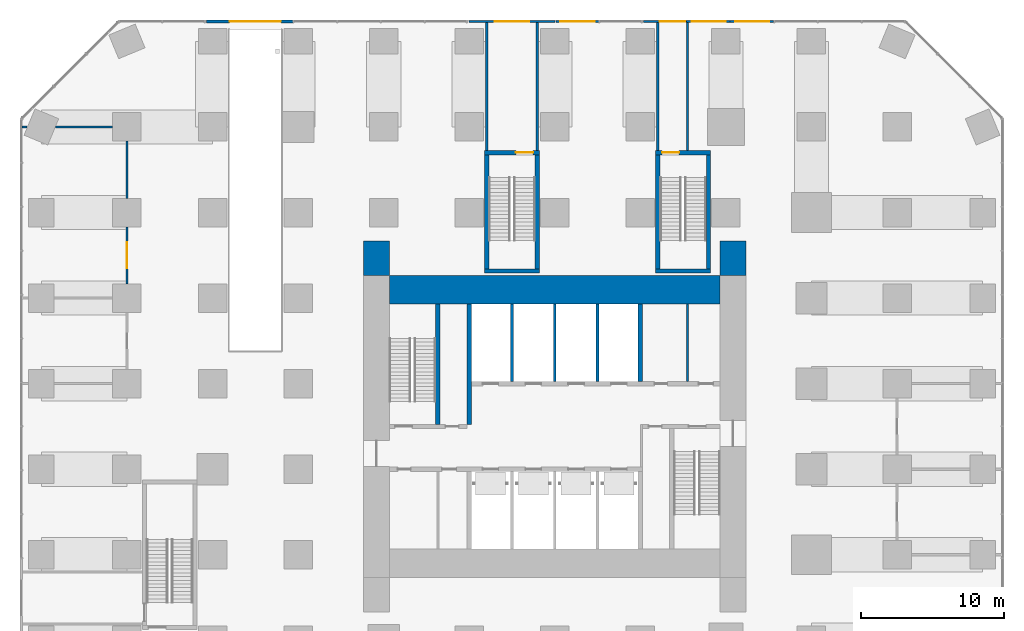
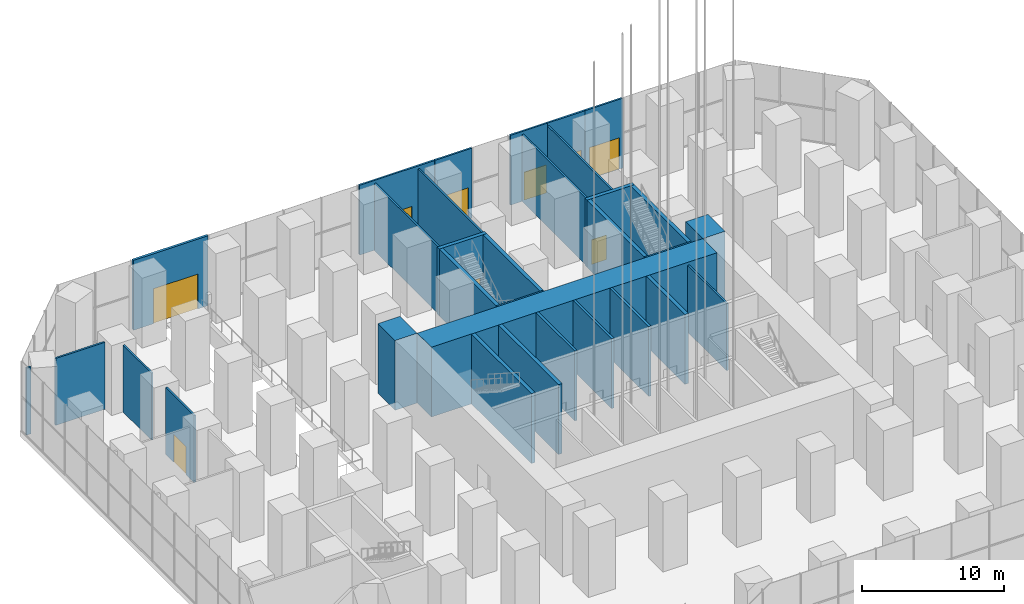
# One storey, part 14 of 21: 32 walls, 9 doors, 9 openings.
"""IFC4 building model written with IfcOpenShell, lengths in metres."""

from ifc_helpers import new_model, si_unit, direction, frame, frame_2d, origin, place, context, subcontext, project, spatial, rectangle, extrude, material, layer, layer_set, type_object, element, fill, save


model = new_model("IFC4")

# Units and contexts
model_context = context("Model", 3, precision=1e-05, world=origin(), true_north=direction((0.0, 1.0)))
body_context = subcontext(model_context, "Body", "Model", "MODEL_VIEW")
ifc_project = project(units=[si_unit("LENGTHUNIT", "METRE"), si_unit("AREAUNIT", "SQUARE_METRE"), si_unit("VOLUMEUNIT", "CUBIC_METRE"), si_unit("PLANEANGLEUNIT", "RADIAN"), si_unit("MASSUNIT", "GRAM", prefix="KILO")], contexts=[model_context])

# Site, building, storey
site_placement = place(None, origin())
site = spatial("IfcSite", under=ifc_project, at=site_placement, CompositionType="ELEMENT")
building_placement = place(site_placement, origin())
building = spatial("IfcBuilding", under=site, at=building_placement, Name="Highveld Stack Headquarters", CompositionType="ELEMENT")
storey_placement = place(building_placement, origin())
storey = spatial("IfcBuildingStorey", under=building, at=storey_placement, Name="L00", CompositionType="ELEMENT", Elevation=0.0)

# Walls
ifc_material_1 = material(Name="Concrete C60/75", Category="concrete")
ifc_layer_1 = layer(ifc_material_1, 2.0)
ifc_layer_set_1 = layer_set([ifc_layer_1], Name="Concrete C60/75")
wall_type_1 = type_object("IfcWallType", Name="CORE WALL 2000 C60/75", PredefinedType="SHEAR", material=ifc_layer_set_1)
wall_1_placement = place(storey_placement, frame((-5.60009765625, 12.60009765625, 0.0), z_axis=(0.0, 0.0, 1.0), x_axis=(1.0, 0.0, 0.0)))
element("IfcWall", 1, at=wall_1_placement, inside=storey, type_object=wall_type_1, Name="Core wall N L00", PredefinedType="SHEAR", context=body_context, shape_type="SweptSolid", body=[
    extrude(rectangle(XDim=23.2001953125, YDim=2.0, at=frame_2d((11.60009765625, 0.0))), origin(), (0.0, 0.0, 1.0), 6.0),
])
ifc_material_2 = material(Name="Concrete C60/75", Category="concrete")
ifc_layer_2 = layer(ifc_material_2, 0.300048828125)
ifc_layer_set_2 = layer_set([ifc_layer_2], Name="Concrete C60/75")
wall_type_2 = type_object("IfcWallType", Name="CORE WALL 300 C60/75", PredefinedType="SHEAR", material=ifc_layer_set_2)
wall_2_placement = place(storey_placement, frame((0.0, 3.14990234375, 0.0), z_axis=(0.0, 0.0, 1.0), x_axis=(0.0, 1.0, 0.0)))
element("IfcWall", 2, at=wall_2_placement, inside=storey, type_object=wall_type_2, Name="Core wall I-X0N L00", PredefinedType="SHEAR", context=body_context, shape_type="SweptSolid", body=[
    extrude(rectangle(XDim=8.4501953125, YDim=0.300048828125, at=frame_2d((4.22509765625, 0.0))), origin(), (0.0, 0.0, 1.0), 6.0),
])
wall_3_placement = place(storey_placement, frame((12.0, 6.14990234375, 0.0), z_axis=(0.0, 0.0, 1.0), x_axis=(0.0, 1.0, 0.0)))
element("IfcWall", 3, at=wall_3_placement, inside=storey, type_object=wall_type_2, Name="Core wall I-X12N L00", PredefinedType="SHEAR", context=body_context, shape_type="SweptSolid", body=[
    extrude(rectangle(XDim=5.4501953125, YDim=0.300048828125, at=frame_2d((2.72509765625, 0.0))), origin(), (0.0, 0.0, 1.0), 6.0),
])
wall_4_placement = place(storey_placement, frame((-2.199951171875, 3.14990234375, 0.0), z_axis=(0.0, 0.0, 1.0), x_axis=(0.0, 1.0, 0.0)))
element("IfcWall", 4, at=wall_4_placement, inside=storey, type_object=wall_type_2, Name="Core wall I-RW L00", PredefinedType="SHEAR", context=body_context, shape_type="SweptSolid", body=[
    extrude(rectangle(XDim=8.4501953125, YDim=0.300048828125, at=frame_2d((4.22509765625, 0.0))), origin(), (0.0, 0.0, 1.0), 6.0),
])
ifc_material_3 = material(Name="Concrete C60/75", Category="concrete")
ifc_layer_3 = layer(ifc_material_3, 1.800048828125)
ifc_layer_set_3 = layer_set([ifc_layer_3], Name="Concrete C60/75")
wall_type_3 = type_object("IfcWallType", Name="CORE WING WALL 1800 C60/75", PredefinedType="SHEAR", material=ifc_layer_set_3)
for number, where, z_axis, x_axis, name in (
    (5, (-6.5, 13.60009765625, 0.0), (0.0, 0.0, 1.0), (0.0, 1.0, 0.0), "Core wing wall WN L00"),
    (6, (18.5, 13.60009765625, 0.0), (0.0, 0.0, 1.0), (0.0, 1.0, 0.0), "Core wing wall EN L00"),
):
    element("IfcWall", number, at=place(storey_placement, frame(where, z_axis=z_axis, x_axis=x_axis)), inside=storey, type_object=wall_type_3, Name=name, PredefinedType="SHEAR", context=body_context, shape_type="SweptSolid", body=[
        extrude(rectangle(XDim=2.39990234375, YDim=1.800048828125, at=frame_2d((1.199951171875, 0.0))), origin(), (0.0, 0.0, 1.0), 6.0),
    ])
ifc_material_4 = material(Name="Concrete blockwork, plastered", Category="masonry")
ifc_layer_4 = layer(ifc_material_4, 0.14990234375)
ifc_layer_set_4 = layer_set([ifc_layer_4], Name="Concrete blockwork, plastered")
wall_type_4 = type_object("IfcWallType", Name="FIRE PARTITION 150 BLOCKWORK", PredefinedType="PARTITIONING", material=ifc_layer_set_4)
for number, where, z_axis, x_axis, name in (
    (7, (1.22509765625, 22.35009765625, 0.0), (0.0, 0.0, 1.0), (0.0, 1.0, 0.0), "Partition Exit passage PS3 L00"),
    (8, (4.77490234375, 22.35009765625, 0.0), (0.0, 0.0, 1.0), (0.0, 1.0, 0.0), "Partition Exit passage PS3 L00"),
    (9, (13.22509765625, 22.35009765625, 0.0), (0.0, 0.0, 1.0), (0.0, 1.0, 0.0), "Partition Exit passage PS2 L00"),
    (10, (15.300048828125, 22.35009765625, 0.0), (0.0, 0.0, 1.0), (0.0, 1.0, 0.0), "Partition Exit passage PS2 L00"),
):
    element("IfcWall", number, at=place(storey_placement, frame(where, z_axis=z_axis, x_axis=x_axis)), inside=storey, type_object=wall_type_4, Name=name, PredefinedType="PARTITIONING", context=body_context, shape_type="SweptSolid", body=[
        extrude(rectangle(XDim=8.974853515625, YDim=0.14990234375, at=frame_2d((4.4873046875, 0.0))), origin(), (0.0, 0.0, 1.0), 5.75),
    ])

# Wall, opening, door
ifc_material_5 = material(Name="Aluminium framed glazed screen", Category="aluminium")
ifc_layer_5 = layer(ifc_material_5, 0.14990234375)
ifc_layer_set_5 = layer_set([ifc_layer_5], Name="Aluminium framed glazed screen")
wall_type_5 = type_object("IfcWallType", Name="GLAZED DOOR SCREEN 150", PredefinedType="USERDEFINED", material=ifc_layer_set_5)
wall_5_placement = place(storey_placement, frame((18.27978515625, 31.39990234375, 0.0), z_axis=(0.0, 0.0, 1.0), x_axis=(1.0, 0.0, 0.0)))
wall_5 = element("IfcWall", 11, at=wall_5_placement, inside=storey, type_object=wall_type_5, Name="Glazed door screen L00 N", ObjectType="GLAZED SCREEN", PredefinedType="USERDEFINED", context=body_context, shape_type="SweptSolid", body=[
    extrude(rectangle(XDim=3.07421875, YDim=0.14990234375, at=frame_2d((1.537109375, 0.0))), origin(), (0.0, 0.0, 1.0), 6.0),
])
opening_1_placement = place(wall_5_placement, frame((0.374755859375, 0.0, 0.0)))
opening_1 = element("IfcOpeningElement", 12, at=opening_1_placement, cuts=wall_5, Name="Opening L00-03", PredefinedType="OPENING", context=body_context, shape_type="SweptSolid", body=[
    extrude(rectangle(XDim=2.39990234375, YDim=2.699951171875, at=frame_2d((1.199951171875, 1.35009765625))), frame((0.0, 0.0849609375, 0.0), z_axis=(0.0, -1.0, 0.0), x_axis=(1.0, 0.0, 0.0)), (0.0, 0.0, 1.0), 0.169921875),
])
ifc_material_6 = material(Name="Aluminium framed glass door", Category="aluminium")
door_type_1 = type_object("IfcDoorType", Name="ENTRANCE DOOR D9 2400x2700", OperationType="DOUBLE_DOOR_SINGLE_SWING", PredefinedType="DOOR", material=ifc_material_6)
door_1_placement = place(opening_1_placement, origin())
door_1 = element("IfcDoor", 13, at=door_1_placement, inside=storey, type_object=door_type_1, Name="Entrance door L00 N", OperationType="DOUBLE_DOOR_SINGLE_SWING", OverallHeight=2.699951171875, OverallWidth=2.39990234375, PredefinedType="DOOR", context=body_context, shape_type="SweptSolid", body=[
    extrude(rectangle(XDim=2.39990234375, YDim=2.699951171875, at=frame_2d((1.199951171875, 1.35009765625))), frame((0.0, 0.02490234375, 0.0), z_axis=(0.0, -1.0, 0.0), x_axis=(1.0, 0.0, 0.0)), (0.0, 0.0, 1.0), 0.050048828125),
])
fill(opening_1, door_1)

wall_6_placement = place(storey_placement, frame((15.215087890625, 31.39990234375, 0.0), z_axis=(0.0, 0.0, 1.0), x_axis=(1.0, 0.0, 0.0)))
wall_6 = element("IfcWall", 14, at=wall_6_placement, inside=storey, type_object=wall_type_5, Name="Glazed door screen L00 N", ObjectType="GLAZED SCREEN", PredefinedType="USERDEFINED", context=body_context, shape_type="SweptSolid", body=[
    extrude(rectangle(XDim=3.149658203125, YDim=0.14990234375, at=frame_2d((1.57470703125, 0.0))), origin(), (0.0, 0.0, 1.0), 6.0),
])
opening_2_placement = place(wall_6_placement, frame((0.374755859375, 0.0, 0.0)))
opening_2 = element("IfcOpeningElement", 15, at=opening_2_placement, cuts=wall_6, Name="Opening L00-04", PredefinedType="OPENING", context=body_context, shape_type="SweptSolid", body=[
    extrude(rectangle(XDim=2.39990234375, YDim=2.699951171875, at=frame_2d((1.199951171875, 1.35009765625))), frame((0.0, 0.0849609375, 0.0), z_axis=(0.0, -1.0, 0.0), x_axis=(1.0, 0.0, 0.0)), (0.0, 0.0, 1.0), 0.169921875),
])
door_2_placement = place(opening_2_placement, origin())
door_2 = element("IfcDoor", 16, at=door_2_placement, inside=storey, type_object=door_type_1, Name="Entrance door L00 N", OperationType="DOUBLE_DOOR_SINGLE_SWING", OverallHeight=2.699951171875, OverallWidth=2.39990234375, PredefinedType="DOOR", context=body_context, shape_type="SweptSolid", body=[
    extrude(rectangle(XDim=2.39990234375, YDim=2.699951171875, at=frame_2d((1.199951171875, 1.35009765625))), frame((0.0, 0.02490234375, 0.0), z_axis=(0.0, -1.0, 0.0), x_axis=(1.0, 0.0, 0.0)), (0.0, 0.0, 1.0), 0.050048828125),
])
fill(opening_2, door_2)

wall_7_placement = place(storey_placement, frame((-0.031982421875, 31.39990234375, 0.0), z_axis=(0.0, 0.0, 1.0), x_axis=(1.0, 0.0, 0.0)))
wall_7 = element("IfcWall", 17, at=wall_7_placement, inside=storey, type_object=wall_type_5, Name="Glazed door screen L00 N", ObjectType="GLAZED SCREEN", PredefinedType="USERDEFINED", context=body_context, shape_type="SweptSolid", body=[
    extrude(rectangle(XDim=6.06396484375, YDim=0.14990234375, at=frame_2d((3.031982421875, 0.0))), origin(), (0.0, 0.0, 1.0), 6.0),
])
opening_3_placement = place(wall_7_placement, frame((1.831787109375, 0.0, 0.0)))
opening_3 = element("IfcOpeningElement", 18, at=opening_3_placement, cuts=wall_7, Name="Opening L00-25", PredefinedType="OPENING", context=body_context, shape_type="SweptSolid", body=[
    extrude(rectangle(XDim=2.39990234375, YDim=2.699951171875, at=frame_2d((1.199951171875, 1.35009765625))), frame((0.0, 0.0849609375, 0.0), z_axis=(0.0, -1.0, 0.0), x_axis=(1.0, 0.0, 0.0)), (0.0, 0.0, 1.0), 0.169921875),
])
door_3_placement = place(opening_3_placement, origin())
door_3 = element("IfcDoor", 19, at=door_3_placement, inside=storey, type_object=door_type_1, Name="Exit door L00 N", OperationType="DOUBLE_DOOR_SINGLE_SWING", OverallHeight=2.699951171875, OverallWidth=2.39990234375, PredefinedType="DOOR", context=body_context, shape_type="SweptSolid", body=[
    extrude(rectangle(XDim=2.39990234375, YDim=2.699951171875, at=frame_2d((1.199951171875, 1.35009765625))), frame((0.0, 0.02490234375, 0.0), z_axis=(0.0, -1.0, 0.0), x_axis=(1.0, 0.0, 0.0)), (0.0, 0.0, 1.0), 0.050048828125),
])
fill(opening_3, door_3)

wall_8_placement = place(storey_placement, frame((12.225830078125, 31.39990234375, 0.0), z_axis=(0.0, 0.0, 1.0), x_axis=(1.0, 0.0, 0.0)))
wall_8 = element("IfcWall", 20, at=wall_8_placement, inside=storey, type_object=wall_type_5, Name="Glazed door screen L00 N", ObjectType="GLAZED SCREEN", PredefinedType="USERDEFINED", context=body_context, shape_type="SweptSolid", body=[
    extrude(rectangle(XDim=2.999267578125, YDim=0.14990234375, at=frame_2d((1.49951171875, 0.0))), origin(), (0.0, 0.0, 1.0), 6.0),
])
opening_4_placement = place(wall_8_placement, frame((1.13671875, 0.0, 0.0)))
opening_4 = element("IfcOpeningElement", 21, at=opening_4_placement, cuts=wall_8, Name="Opening L00-26", PredefinedType="OPENING", context=body_context, shape_type="SweptSolid", body=[
    extrude(rectangle(XDim=1.800048828125, YDim=2.39990234375, at=frame_2d((0.89990234375, 1.199951171875))), frame((0.0, 0.0849609375, 0.0), z_axis=(0.0, -1.0, 0.0), x_axis=(1.0, 0.0, 0.0)), (0.0, 0.0, 1.0), 0.169921875),
])
ifc_material_7 = material(Name="Aluminium framed glass door", Category="aluminium")
door_type_2 = type_object("IfcDoorType", Name="EXIT DOOR D17 1800x2400", OperationType="DOUBLE_DOOR_SINGLE_SWING", PredefinedType="DOOR", material=ifc_material_7)
door_4_placement = place(opening_4_placement, origin())
door_4 = element("IfcDoor", 22, at=door_4_placement, inside=storey, type_object=door_type_2, Name="Exit door L00 N", OperationType="DOUBLE_DOOR_SINGLE_SWING", OverallHeight=2.39990234375, OverallWidth=1.800048828125, PredefinedType="DOOR", context=body_context, shape_type="SweptSolid", body=[
    extrude(rectangle(XDim=1.800048828125, YDim=2.39990234375, at=frame_2d((0.89990234375, 1.199951171875))), frame((0.0, 0.02490234375, 0.0), z_axis=(0.0, -1.0, 0.0), x_axis=(1.0, 0.0, 0.0)), (0.0, 0.0, 1.0), 0.050048828125),
])
fill(opening_4, door_4)

wall_9_placement = place(storey_placement, frame((6.096923828125, 31.39990234375, 0.0), z_axis=(0.0, 0.0, 1.0), x_axis=(1.0, 0.0, 0.0)))
wall_9 = element("IfcWall", 23, at=wall_9_placement, inside=storey, type_object=wall_type_5, Name="Glazed door screen L00 N", ObjectType="GLAZED SCREEN", PredefinedType="USERDEFINED", context=body_context, shape_type="SweptSolid", body=[
    extrude(rectangle(XDim=2.99951171875, YDim=0.14990234375, at=frame_2d((1.499755859375, 0.0))), origin(), (0.0, 0.0, 1.0), 6.0),
])
opening_5_placement = place(wall_9_placement, frame((0.2998046875, 0.0, 0.0)))
opening_5 = element("IfcOpeningElement", 24, at=opening_5_placement, cuts=wall_9, Name="Opening L00-29", PredefinedType="OPENING", context=body_context, shape_type="SweptSolid", body=[
    extrude(rectangle(XDim=2.39990234375, YDim=2.699951171875, at=frame_2d((1.199951171875, 1.35009765625))), frame((0.0, 0.0849609375, 0.0), z_axis=(0.0, -1.0, 0.0), x_axis=(1.0, 0.0, 0.0)), (0.0, 0.0, 1.0), 0.169921875),
])
door_5_placement = place(opening_5_placement, origin())
door_5 = element("IfcDoor", 25, at=door_5_placement, inside=storey, type_object=door_type_1, Name="Facilities door L00 N", OperationType="DOUBLE_DOOR_SINGLE_SWING", OverallHeight=2.699951171875, OverallWidth=2.39990234375, PredefinedType="DOOR", context=body_context, shape_type="SweptSolid", body=[
    extrude(rectangle(XDim=2.39990234375, YDim=2.699951171875, at=frame_2d((1.199951171875, 1.35009765625))), frame((0.0, 0.02490234375, 0.0), z_axis=(0.0, -1.0, 0.0), x_axis=(1.0, 0.0, 0.0)), (0.0, 0.0, 1.0), 0.050048828125),
])
fill(opening_5, door_5)

# Walls
ifc_material_8 = material(Name="Concrete blockwork, fair-faced", Category="masonry")
ifc_layer_6 = layer(ifc_material_8, 0.199951171875)
ifc_layer_set_6 = layer_set([ifc_layer_6], Name="Concrete blockwork, fair-faced")
wall_type_6 = type_object("IfcWallType", Name="LIFT SHAFT ENCLOSURE WALL 200 BLOCKWORK", PredefinedType="SOLIDWALL", material=ifc_layer_set_6)
for number, where, z_axis, x_axis, name in (
    (26, (3.0, 6.14990234375, 0.0), (0.0, 0.0, 1.0), (0.0, 1.0, 0.0), "Lift shaft wall L00"),
    (27, (6.0, 6.14990234375, 0.0), (0.0, 0.0, 1.0), (0.0, 1.0, 0.0), "Lift shaft wall L00"),
    (28, (9.0, 6.14990234375, 0.0), (0.0, 0.0, 1.0), (0.0, 1.0, 0.0), "Lift shaft wall L00"),
):
    element("IfcWall", number, at=place(storey_placement, frame(where, z_axis=z_axis, x_axis=x_axis)), inside=storey, type_object=wall_type_6, Name=name, PredefinedType="SOLIDWALL", context=body_context, shape_type="SweptSolid", body=[
        extrude(rectangle(XDim=5.4501953125, YDim=0.199951171875, at=frame_2d((2.72509765625, 0.0))), origin(), (0.0, 0.0, 1.0), 6.0),
    ])
ifc_material_9 = material(Name="Gypsum plasterboard on steel studs", Category="steel")
ifc_layer_7 = layer(ifc_material_9, 0.14990234375)
ifc_layer_set_7 = layer_set([ifc_layer_7], Name="Gypsum plasterboard on steel studs")
wall_type_7 = type_object("IfcWallType", Name="PARTITION 150 PLASTERBOARD", PredefinedType="PARTITIONING", material=ifc_layer_set_7)
wall_10_placement = place(storey_placement, frame((-31.375, 24.0, 0.0), z_axis=(0.0, 0.0, 1.0), x_axis=(1.0, 0.0, 0.0)))
element("IfcWall", 29, at=wall_10_placement, inside=storey, type_object=wall_type_7, Name="Partition Cafe L00", PredefinedType="PARTITIONING", context=body_context, shape_type="SweptSolid", body=[
    extrude(rectangle(XDim=0.369873046875, YDim=0.14990234375, at=frame_2d((0.18505859375, 0.0))), origin(), (0.0, 0.0, 1.0), 5.75),
])
wall_11_placement = place(storey_placement, frame((-28.994873046875, 24.0, 0.0), z_axis=(0.0, 0.0, 1.0), x_axis=(1.0, 0.0, 0.0)))
element("IfcWall", 30, at=wall_11_placement, inside=storey, type_object=wall_type_7, Name="Partition Cafe L00", PredefinedType="PARTITIONING", context=body_context, shape_type="SweptSolid", body=[
    extrude(rectangle(XDim=3.994873046875, YDim=0.14990234375, at=frame_2d((1.99755859375, 0.0))), origin(), (0.0, 0.0, 1.0), 5.75),
])

# Wall, opening, door
wall_12_placement = place(storey_placement, frame((-24.0, 13.0, 0.0), z_axis=(0.0, 0.0, 1.0), x_axis=(0.0, 1.0, 0.0)))
wall_12 = element("IfcWall", 31, at=wall_12_placement, inside=storey, type_object=wall_type_7, Name="Partition Cafe L00", PredefinedType="PARTITIONING", context=body_context, shape_type="SweptSolid", body=[
    extrude(rectangle(XDim=4.0, YDim=0.14990234375, at=frame_2d((2.0, 0.0))), origin(), (0.0, 0.0, 1.0), 5.75),
])
opening_6_placement = place(wall_12_placement, frame((1.10009765625, 0.0, 0.0)))
opening_6 = element("IfcOpeningElement", 32, at=opening_6_placement, cuts=wall_12, Name="Opening L00-23", PredefinedType="OPENING", context=body_context, shape_type="SweptSolid", body=[
    extrude(rectangle(XDim=1.800048828125, YDim=2.39990234375, at=frame_2d((0.89990234375, 1.199951171875))), frame((0.0, 0.0849609375, 0.0), z_axis=(0.0, -1.0, 0.0), x_axis=(1.0, 0.0, 0.0)), (0.0, 0.0, 1.0), 0.169921875),
])
ifc_material_10 = material(Name="Timber door, oiled ash", Category="wood")
door_type_3 = type_object("IfcDoorType", Name="DOUBLE DOOR D10 1800x2400", OperationType="DOUBLE_DOOR_SINGLE_SWING", PredefinedType="DOOR", material=ifc_material_10)
door_6_placement = place(opening_6_placement, origin())
door_6 = element("IfcDoor", 33, at=door_6_placement, inside=storey, type_object=door_type_3, Name="Cafe door 1 L00", OperationType="DOUBLE_DOOR_SINGLE_SWING", OverallHeight=2.39990234375, OverallWidth=1.800048828125, PredefinedType="DOOR", context=body_context, shape_type="SweptSolid", body=[
    extrude(rectangle(XDim=1.800048828125, YDim=2.39990234375, at=frame_2d((0.89990234375, 1.199951171875))), frame((0.0, 0.02490234375, 0.0), z_axis=(0.0, -1.0, 0.0), x_axis=(1.0, 0.0, 0.0)), (0.0, 0.0, 1.0), 0.050048828125),
])
fill(opening_6, door_6)

# Wall
wall_13_placement = place(storey_placement, frame((-24.0, 19.0, 0.0), z_axis=(0.0, 0.0, 1.0), x_axis=(0.0, 1.0, 0.0)))
element("IfcWall", 34, at=wall_13_placement, inside=storey, type_object=wall_type_7, Name="Partition Cafe L00", PredefinedType="PARTITIONING", context=body_context, shape_type="SweptSolid", body=[
    extrude(rectangle(XDim=4.0, YDim=0.14990234375, at=frame_2d((2.0, 0.0))), origin(), (0.0, 0.0, 1.0), 5.75),
])

# Wall, opening, door
ifc_material_11 = material(Name="Concrete C40/50, precast cladding", Category="concrete")
ifc_layer_8 = layer(ifc_material_11, 0.199951171875)
ifc_layer_set_8 = layer_set([ifc_layer_8], Name="Concrete C40/50, precast cladding")
wall_type_8 = type_object("IfcWallType", Name="PRECAST GATE PORTAL WALL 200", PredefinedType="USERDEFINED", material=ifc_layer_set_8)
wall_14_placement = place(storey_placement, frame((-12.354736328125, 31.39990234375, 0.0), z_axis=(0.0, 0.0, 1.0), x_axis=(-1.0, 0.0, 0.0)))
wall_14 = element("IfcWall", 35, at=wall_14_placement, inside=storey, type_object=wall_type_8, Name="Precast gate portal wall L00 N", ObjectType="PRECAST CLADDING", PredefinedType="USERDEFINED", context=body_context, shape_type="SweptSolid", body=[
    extrude(rectangle(XDim=6.063720703125, YDim=0.199951171875, at=frame_2d((3.03173828125, 0.0))), origin(), (0.0, 0.0, 1.0), 6.0),
])
opening_7_placement = place(wall_14_placement, frame((0.84521484375, 0.0, 0.0)))
opening_7 = element("IfcOpeningElement", 36, at=opening_7_placement, cuts=wall_14, Name="Opening L00-24", PredefinedType="OPENING", context=body_context, shape_type="SweptSolid", body=[
    extrude(rectangle(XDim=3.60009765625, YDim=3.0, at=frame_2d((1.800048828125, 1.5))), frame((0.0, 0.10986328125, 0.0), z_axis=(0.0, -1.0, 0.0), x_axis=(1.0, 0.0, 0.0)), (0.0, 0.0, 1.0), 0.219970703125),
])
ifc_material_12 = material(Name="Galvanised steel sliding gate, powder-coated", Category="steel")
door_type_4 = type_object("IfcDoorType", Name="VEHICLE GATE VG1 3600x3000", OperationType="SLIDING_TO_LEFT", PredefinedType="USERDEFINED", material=ifc_material_12)
door_7_placement = place(opening_7_placement, origin())
door_7 = element("IfcDoor", 37, at=door_7_placement, inside=storey, type_object=door_type_4, Name="Vehicle gate L00 N", ObjectType="VEHICLE GATE", OperationType="SLIDING_TO_LEFT", OverallHeight=3.0, OverallWidth=3.60009765625, PredefinedType="USERDEFINED", context=body_context, shape_type="SweptSolid", body=[
    extrude(rectangle(XDim=3.60009765625, YDim=3.0, at=frame_2d((1.800048828125, 1.5))), frame((0.0, 0.02490234375, 0.0), z_axis=(0.0, -1.0, 0.0), x_axis=(1.0, 0.0, 0.0)), (0.0, 0.0, 1.0), 0.050048828125),
])
fill(opening_7, door_7)

# Wall
ifc_material_13 = material(Name="Concrete C40/50", Category="concrete")
ifc_layer_9 = layer(ifc_material_13, 0.300048828125)
ifc_layer_set_9 = layer_set([ifc_layer_9], Name="Concrete C40/50")
wall_type_9 = type_object("IfcWallType", Name="STAIR ENCLOSURE WALL 300", PredefinedType="SOLIDWALL", material=ifc_layer_set_9)
wall_15_placement = place(storey_placement, frame((13.074951171875, 13.89990234375, 0.0), z_axis=(0.0, 0.0, 1.0), x_axis=(1.0, 0.0, 0.0)))
element("IfcWall", 38, at=wall_15_placement, inside=storey, type_object=wall_type_9, Name="Stair PS2 enclosure S L00", PredefinedType="SOLIDWALL", context=body_context, shape_type="SweptSolid", body=[
    extrude(rectangle(XDim=3.85009765625, YDim=0.300048828125, at=frame_2d((1.925048828125, 0.0))), origin(), (0.0, 0.0, 1.0), 5.75),
])

# Wall, opening, door
wall_16_placement = place(storey_placement, frame((13.074951171875, 22.199951171875, 0.0), z_axis=(0.0, 0.0, 1.0), x_axis=(1.0, 0.0, 0.0)))
wall_16 = element("IfcWall", 39, at=wall_16_placement, inside=storey, type_object=wall_type_9, Name="Stair PS2 enclosure N L00", PredefinedType="SOLIDWALL", context=body_context, shape_type="SweptSolid", body=[
    extrude(rectangle(XDim=3.85009765625, YDim=0.300048828125, at=frame_2d((1.925048828125, 0.0))), origin(), (0.0, 0.0, 1.0), 5.75),
])
opening_8_placement = place(wall_16_placement, frame((0.449951171875, 0.0, 0.0)))
opening_8 = element("IfcOpeningElement", 40, at=opening_8_placement, cuts=wall_16, Name="Opening L00-18", PredefinedType="OPENING", context=body_context, shape_type="SweptSolid", body=[
    extrude(rectangle(XDim=1.199951171875, YDim=2.10009765625, at=frame_2d((0.60009765625, 1.050048828125))), frame((0.0, 0.159912109375, 0.0), z_axis=(0.0, -1.0, 0.0), x_axis=(1.0, 0.0, 0.0)), (0.0, 0.0, 1.0), 0.320068359375),
])
ifc_material_14 = material(Name="Steel fire door", Category="steel")
door_type_5 = type_object("IfcDoorType", Name="STAIR FIRE DOOR D3 1200x2100", OperationType="SINGLE_SWING_LEFT", PredefinedType="DOOR", material=ifc_material_14)
door_8_placement = place(opening_8_placement, origin())
door_8 = element("IfcDoor", 41, at=door_8_placement, inside=storey, type_object=door_type_5, Name="Stair PS2 door L00", OperationType="SINGLE_SWING_LEFT", OverallHeight=2.10009765625, OverallWidth=1.199951171875, PredefinedType="DOOR", context=body_context, shape_type="SweptSolid", body=[
    extrude(rectangle(XDim=1.199951171875, YDim=2.10009765625, at=frame_2d((0.60009765625, 1.050048828125))), frame((0.0, 0.02490234375, 0.0), z_axis=(0.0, -1.0, 0.0), x_axis=(1.0, 0.0, 0.0)), (0.0, 0.0, 1.0), 0.050048828125),
])
fill(opening_8, door_8)

# Walls
for number, where, z_axis, x_axis, name in (
    (42, (13.22509765625, 14.050048828125, 0.0), (0.0, 0.0, 1.0), (0.0, 1.0, 0.0), "Stair PS2 enclosure W L00"),
    (43, (16.77490234375, 14.050048828125, 0.0), (0.0, 0.0, 1.0), (0.0, 1.0, 0.0), "Stair PS2 enclosure E L00"),
):
    element("IfcWall", number, at=place(storey_placement, frame(where, z_axis=z_axis, x_axis=x_axis)), inside=storey, type_object=wall_type_9, Name=name, PredefinedType="SOLIDWALL", context=body_context, shape_type="SweptSolid", body=[
        extrude(rectangle(XDim=8.0, YDim=0.300048828125, at=frame_2d((4.0, 0.0))), origin(), (0.0, 0.0, 1.0), 5.75),
    ])
wall_17_placement = place(storey_placement, frame((1.074951171875, 13.89990234375, 0.0), z_axis=(0.0, 0.0, 1.0), x_axis=(1.0, 0.0, 0.0)))
element("IfcWall", 44, at=wall_17_placement, inside=storey, type_object=wall_type_9, Name="Stair PS3 enclosure S L00", PredefinedType="SOLIDWALL", context=body_context, shape_type="SweptSolid", body=[
    extrude(rectangle(XDim=3.85009765625, YDim=0.300048828125, at=frame_2d((1.925048828125, 0.0))), origin(), (0.0, 0.0, 1.0), 5.75),
])

# Wall, opening, door
wall_18_placement = place(storey_placement, frame((1.074951171875, 22.199951171875, 0.0), z_axis=(0.0, 0.0, 1.0), x_axis=(1.0, 0.0, 0.0)))
wall_18 = element("IfcWall", 45, at=wall_18_placement, inside=storey, type_object=wall_type_9, Name="Stair PS3 enclosure N L00", PredefinedType="SOLIDWALL", context=body_context, shape_type="SweptSolid", body=[
    extrude(rectangle(XDim=3.85009765625, YDim=0.300048828125, at=frame_2d((1.925048828125, 0.0))), origin(), (0.0, 0.0, 1.0), 5.75),
])
opening_9_placement = place(wall_18_placement, frame((2.199951171875, 0.0, 0.0)))
opening_9 = element("IfcOpeningElement", 46, at=opening_9_placement, cuts=wall_18, Name="Opening L00-19", PredefinedType="OPENING", context=body_context, shape_type="SweptSolid", body=[
    extrude(rectangle(XDim=1.199951171875, YDim=2.10009765625, at=frame_2d((0.60009765625, 1.050048828125))), frame((0.0, 0.159912109375, 0.0), z_axis=(0.0, -1.0, 0.0), x_axis=(1.0, 0.0, 0.0)), (0.0, 0.0, 1.0), 0.320068359375),
])
door_9_placement = place(opening_9_placement, origin())
door_9 = element("IfcDoor", 47, at=door_9_placement, inside=storey, type_object=door_type_5, Name="Stair PS3 door L00", OperationType="SINGLE_SWING_RIGHT", OverallHeight=2.10009765625, OverallWidth=1.199951171875, PredefinedType="DOOR", context=body_context, shape_type="SweptSolid", body=[
    extrude(rectangle(XDim=1.199951171875, YDim=2.10009765625, at=frame_2d((0.60009765625, 1.050048828125))), frame((0.0, 0.02490234375, 0.0), z_axis=(0.0, -1.0, 0.0), x_axis=(1.0, 0.0, 0.0)), (0.0, 0.0, 1.0), 0.050048828125),
])
fill(opening_9, door_9)

# Walls
for number, where, z_axis, x_axis, name in (
    (48, (1.22509765625, 14.050048828125, 0.0), (0.0, 0.0, 1.0), (0.0, 1.0, 0.0), "Stair PS3 enclosure W L00"),
    (49, (4.77490234375, 14.050048828125, 0.0), (0.0, 0.0, 1.0), (0.0, 1.0, 0.0), "Stair PS3 enclosure E L00"),
):
    element("IfcWall", number, at=place(storey_placement, frame(where, z_axis=z_axis, x_axis=x_axis)), inside=storey, type_object=wall_type_9, Name=name, PredefinedType="SOLIDWALL", context=body_context, shape_type="SweptSolid", body=[
        extrude(rectangle(XDim=8.0, YDim=0.300048828125, at=frame_2d((4.0, 0.0))), origin(), (0.0, 0.0, 1.0), 5.75),
    ])
ifc_material_15 = material(Name="Concrete blockwork, tiled", Category="masonry")
ifc_layer_10 = layer(ifc_material_15, 0.14990234375)
ifc_layer_set_10 = layer_set([ifc_layer_10], Name="Concrete blockwork, tiled")
wall_type_10 = type_object("IfcWallType", Name="WC PARTITION 150", PredefinedType="PLUMBINGWALL", material=ifc_layer_set_10)
wall_19_placement = place(storey_placement, frame((15.300048828125, 6.14990234375, 0.0), z_axis=(0.0, 0.0, 1.0), x_axis=(0.0, 1.0, 0.0)))
element("IfcWall", 50, at=wall_19_placement, inside=storey, type_object=wall_type_10, Name="Toilet partition L00", PredefinedType="PLUMBINGWALL", context=body_context, shape_type="SweptSolid", body=[
    extrude(rectangle(XDim=5.4501953125, YDim=0.14990234375, at=frame_2d((2.72509765625, 0.0))), origin(), (0.0, 0.0, 1.0), 5.75),
])

save(model, "model.ifc")
